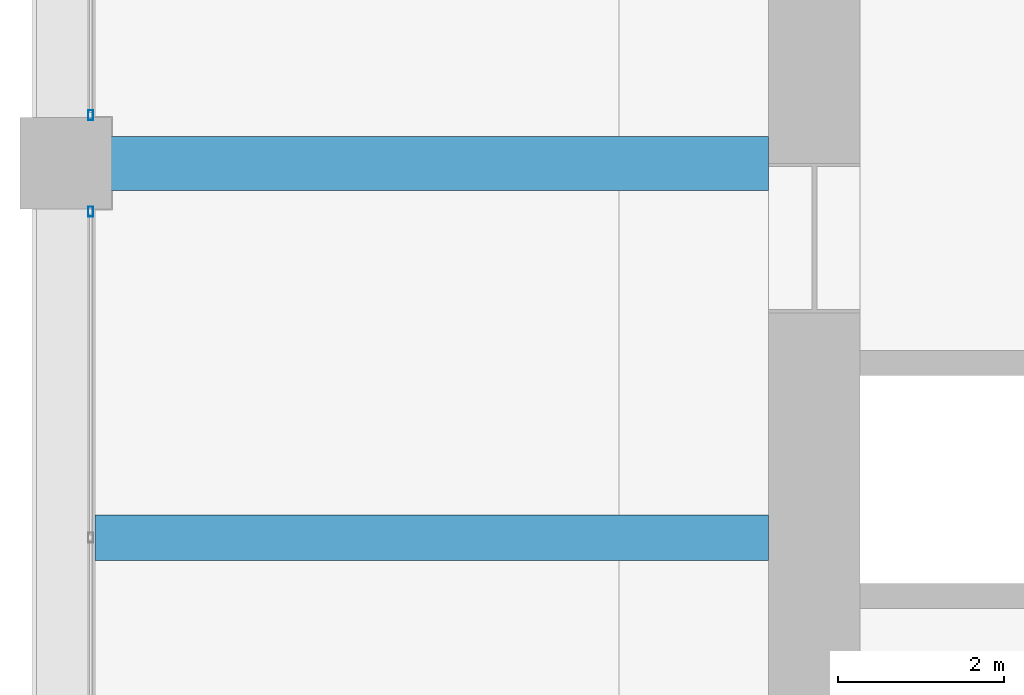
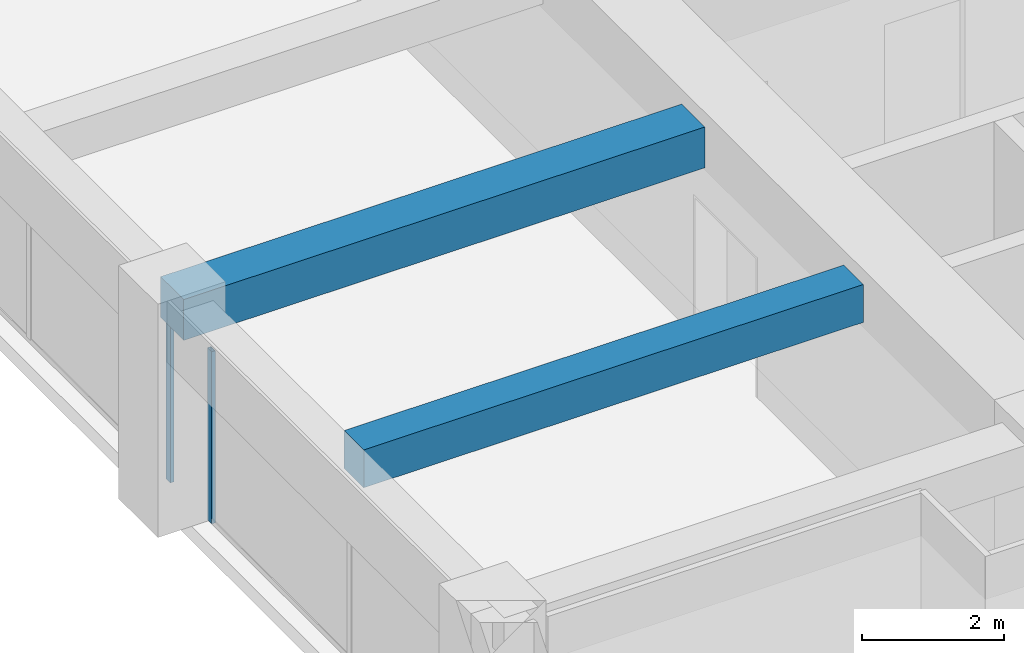
# One storey, part 15 of 44: 2 beams, 2 members, 2 elements without a shape of their own.
"""IFC4 building model written with IfcOpenShell, lengths in metres."""

from ifc_helpers import new_model, si_unit, direction, frame, origin, origin_2d, place, context, subcontext, project, spatial, rectangle, hollow_rectangle, extrude, material, material_profile, profile_set, type_object, element, aggregate, save


model = new_model("IFC4")

# Units and contexts
model_context = context("Model", 3, precision=1e-05, world=origin(), true_north=direction((0.0, 1.0)))
body_context = subcontext(model_context, "Body", "Model", "MODEL_VIEW")
ifc_project = project(units=[si_unit("LENGTHUNIT", "METRE"), si_unit("AREAUNIT", "SQUARE_METRE"), si_unit("VOLUMEUNIT", "CUBIC_METRE"), si_unit("PLANEANGLEUNIT", "RADIAN"), si_unit("MASSUNIT", "GRAM", prefix="KILO")], contexts=[model_context])

# Site, building, storey
site_placement = place(None, origin())
site = spatial("IfcSite", under=ifc_project, at=site_placement, CompositionType="ELEMENT")
building_placement = place(site_placement, origin())
building = spatial("IfcBuilding", under=site, at=building_placement, Name="Zorevar Civic Tower", CompositionType="ELEMENT")
storey_placement = place(building_placement, frame((0.0, 0.0, 251.39990234375)))
storey = spatial("IfcBuildingStorey", under=building, at=storey_placement, Name="L61", CompositionType="ELEMENT", Elevation=251.39990234375)

# Beams
ifc_material_1 = material(Name="Concrete C50/60", Category="concrete")
ifc_material_profile_1 = material_profile(ifc_material_1, rectangle(XDim=0.550048828125, YDim=0.64990234375, at=origin_2d()), Name="RC 550x650")
ifc_profile_set_1 = profile_set([ifc_material_profile_1], Name="Concrete C50/60")
beam_type_1 = type_object("IfcBeamType", Name="Beam RC 550x650", PredefinedType="BEAM", material=ifc_profile_set_1)
beam_1_placement = place(storey_placement, frame((9.35009765625, 22.5, 3.425048828125), z_axis=(1.0, 0.0, 0.0), x_axis=(0.0, 1.0, 0.0)))
element("IfcBeam", 1, at=beam_1_placement, inside=storey, type_object=beam_type_1, Name="Secondary beam L62", PredefinedType="BEAM", context=body_context, shape_type="SweptSolid", body=[
    extrude(rectangle(XDim=0.550048828125, YDim=0.64990234375, at=origin_2d()), origin(), (0.0, 0.0, 1.0), 8.099853515625),
])
ifc_material_2 = material(Name="Concrete C50/60", Category="concrete")
ifc_material_profile_2 = material_profile(ifc_material_2, rectangle(XDim=0.64990234375, YDim=0.699951171875, at=origin_2d()), Name="RC 650x700")
ifc_profile_set_2 = profile_set([ifc_material_profile_2], Name="Concrete C50/60")
beam_type_2 = type_object("IfcBeamType", Name="Beam RC 650x700", PredefinedType="BEAM", material=ifc_profile_set_2)
beam_2_placement = place(storey_placement, frame((9.0, 27.0, 3.400146484375), z_axis=(1.0, 0.0, 0.0), x_axis=(0.0, 1.0, 0.0)))
element("IfcBeam", 2, at=beam_2_placement, inside=storey, type_object=beam_type_2, Name="Girder L62", PredefinedType="BEAM", context=body_context, shape_type="SweptSolid", body=[
    extrude(rectangle(XDim=0.64990234375, YDim=0.699951171875, at=origin_2d()), origin(), (0.0, 0.0, 1.0), 8.449951171875),
])

# Curtain wall, member
ifc_material_3 = material(Name="Dark grey solar-control glass in black aluminium frame", Category="aluminium")
curtain_wall_type = type_object("IfcCurtainWallType", Name="Curtain wall CW5 top zone", PredefinedType="NOTDEFINED", material=ifc_material_3)
curtain_wall_1_placement = place(storey_placement, origin())
curtain_wall_1 = element("IfcCurtainWall", 3, at=curtain_wall_1_placement, inside=storey, type_object=curtain_wall_type, Name="CW5 L61", PredefinedType="NOTDEFINED")
ifc_material_4 = material(Name="Aluminium, black anodised", Category="aluminium")
ifc_material_profile_3 = material_profile(ifc_material_4, hollow_rectangle(XDim=0.06005859375, YDim=0.1201171875, WallThickness=0.0029296875, at=origin_2d()), Name="AL 120x60x3")
ifc_profile_set_3 = profile_set([ifc_material_profile_3], Name="Aluminium, black anodised")
member_type = type_object("IfcMemberType", Name="CW5 mullion AL 120x60x3", PredefinedType="MULLION", material=ifc_profile_set_3)
member_1_placement = place(storey_placement, frame((9.300048828125, 26.419921875, 0.0), z_axis=(0.0, 0.0, 1.0), x_axis=(-1.0, 0.0, 0.0)))
member_1 = element("IfcMember", 4, at=member_1_placement, type_object=member_type, Name="CW5 mullion 3", PredefinedType="MULLION", context=body_context, shape_type="SweptSolid", body=[
    extrude(hollow_rectangle(XDim=0.06005859375, YDim=0.1201171875, WallThickness=0.0029296875, at=origin_2d()), origin(), (0.0, 0.0, 1.0), 2.9501953125),
])
aggregate(curtain_wall_1, [member_1])

curtain_wall_2_placement = place(storey_placement, origin())
curtain_wall_2 = element("IfcCurtainWall", 5, at=curtain_wall_2_placement, inside=storey, type_object=curtain_wall_type, Name="CW5 L61", PredefinedType="NOTDEFINED")
member_2_placement = place(storey_placement, frame((9.300048828125, 27.580078125, 0.0), z_axis=(0.0, 0.0, 1.0), x_axis=(-1.0, 0.0, 0.0)))
member_2 = element("IfcMember", 6, at=member_2_placement, type_object=member_type, Name="CW5 mullion 1", PredefinedType="MULLION", context=body_context, shape_type="SweptSolid", body=[
    extrude(hollow_rectangle(XDim=0.06005859375, YDim=0.1201171875, WallThickness=0.0029296875, at=origin_2d()), origin(), (0.0, 0.0, 1.0), 2.9501953125),
])
aggregate(curtain_wall_2, [member_2])

save(model, "model.ifc")
